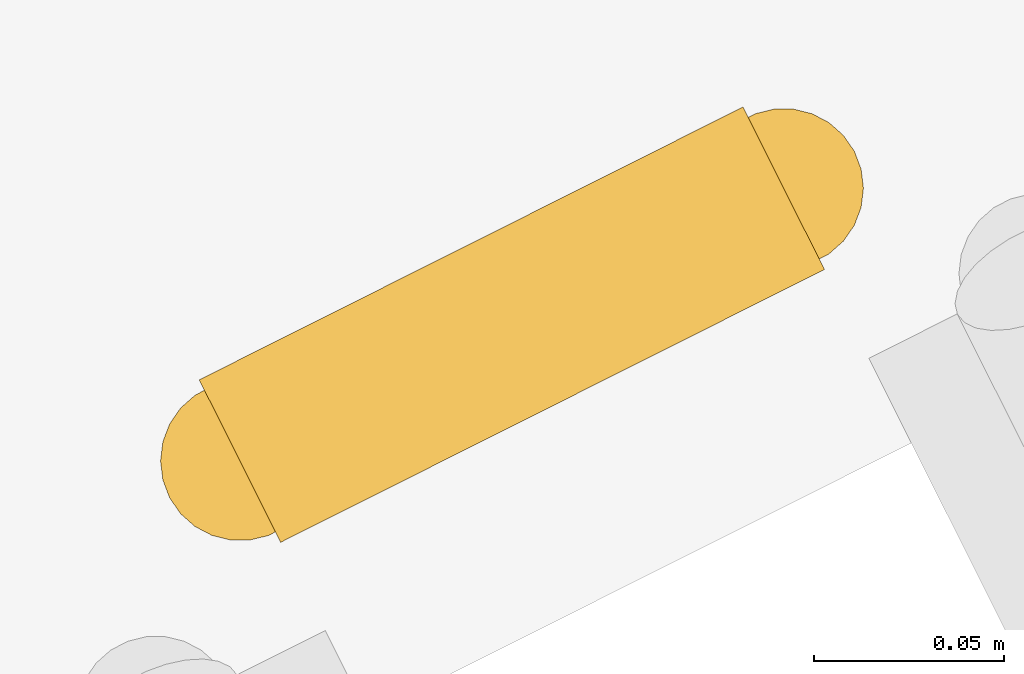
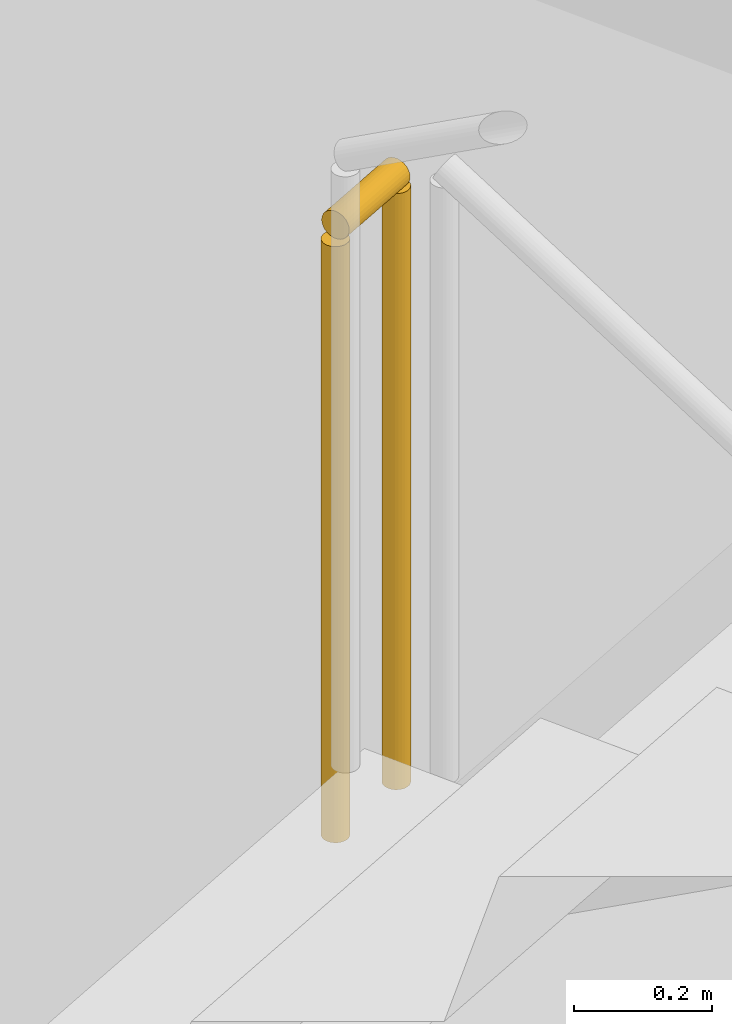
# One storey, part 134 of 152: 1 railing.
"""IFC4 building model written with IfcOpenShell, lengths in metres."""

import ifcopenshell
import ifcopenshell.guid

model = None  # the IFC model being written
_history = None  # IfcOwnerHistory: only IFC2X3 demands one
_inside = {}  # id of a spatial element -> (the spatial element, [elements in it])
_under = {}  # id of a project, library or spatial element -> (it, [spatial elements below it])
_declared = {}  # id of a project -> (the project, [libraries it declares])
_typed = {}  # id of a type object -> (the type object, [elements of that type])
_made_of = {}  # id of a material, layer set ... -> (it, [elements and type objects made of it])


def new_model(schema):
    """Start an empty IFC model of exactly this schema.

    Asked for "IFC4X3", IfcOpenShell would pick the latest addendum, in which some entities
    have other attributes; the version numbers below select the first issue.
    IFC2X3 requires an IfcOwnerHistory on every rooted entity: one is made here for all.
    """
    global model, _history
    if schema == "IFC4X3":
        model = ifcopenshell.file(schema_version=(4, 3, 0, 0))
    else:
        model = ifcopenshell.file(schema=schema)
    _inside.clear()
    _under.clear()
    _declared.clear()
    _typed.clear()
    _made_of.clear()
    _history = None
    if model.schema == "IFC2X3":
        org = make("IfcOrganization", Name="unknown")
        user = make(
            "IfcPersonAndOrganization",
            ThePerson=make("IfcPerson", FamilyName="unknown"),
            TheOrganization=org,
        )
        app = make(
            "IfcApplication",
            ApplicationDeveloper=org,
            Version="unknown",
            ApplicationFullName="unknown",
            ApplicationIdentifier="unknown",
        )
        _history = make(
            "IfcOwnerHistory",
            OwningUser=user,
            OwningApplication=app,
            ChangeAction="ADDED",
            CreationDate=0,
        )
    return model


def make(cls, **values):
    """One entity of the class cls with the attributes given. An attribute that is None is left unset."""
    return model.create_entity(
        cls, **{name: value for name, value in values.items() if value is not None}
    )


def rooted(cls, **values):
    """An entity with a GlobalId (a new one), such as an element, a storey or a relation."""
    return make(cls, GlobalId=ifcopenshell.guid.new(), OwnerHistory=_history, **values)


def si_unit(unit_type, name, prefix=None):
    """IfcSIUnit, for example si_unit("LENGTHUNIT", "METRE", prefix="MILLI")."""
    return make("IfcSIUnit", UnitType=unit_type, Prefix=prefix, Name=name)


def assignment(units):
    """IfcUnitAssignment: the units of a project."""
    return None if units is None else make("IfcUnitAssignment", Units=units)


def point(xyz):
    """IfcCartesianPoint."""
    return None if xyz is None else make("IfcCartesianPoint", Coordinates=xyz)


def direction(xyz):
    """IfcDirection."""
    return None if xyz is None else make("IfcDirection", DirectionRatios=xyz)


def frame(location, z_axis=None, x_axis=None):
    """IfcAxis2Placement3D, a coordinate frame: its origin and axes. An axis left out is left unset."""
    return make(
        "IfcAxis2Placement3D",
        Location=point(location),
        Axis=direction(z_axis),
        RefDirection=direction(x_axis),
    )


def frame_2d(location, x_axis=None):
    """IfcAxis2Placement2D, a coordinate frame in the plane: its origin and x axis."""
    return make(
        "IfcAxis2Placement2D", Location=point(location), RefDirection=direction(x_axis)
    )


def origin():
    """The frame at (0, 0, 0) with its axes left unset."""
    return frame((0.0, 0.0, 0.0))


def origin_2d():
    """The frame at (0, 0) in the plane with its x axis left unset."""
    return frame_2d((0.0, 0.0))


def place(relative_to, where):
    """IfcLocalPlacement: puts the frame where relative to a parent placement (None: the world)."""
    return make(
        "IfcLocalPlacement", PlacementRelTo=relative_to, RelativePlacement=where
    )


def context(
    kind, dimensions, precision=None, world=None, true_north=None, identifier=None
):
    """IfcGeometricRepresentationContext, for example the 3D "Model" context."""
    return make(
        "IfcGeometricRepresentationContext",
        ContextIdentifier=identifier,
        ContextType=kind,
        CoordinateSpaceDimension=dimensions,
        Precision=precision,
        WorldCoordinateSystem=world,
        TrueNorth=true_north,
    )


def subcontext(parent, identifier, kind, view, scale=None):
    """IfcGeometricRepresentationSubContext, for example "Body" below "Model"."""
    return make(
        "IfcGeometricRepresentationSubContext",
        ContextIdentifier=identifier,
        ContextType=kind,
        ParentContext=parent,
        TargetScale=scale,
        TargetView=view,
    )


def project(units=None, contexts=None):
    """IfcProject with its units and contexts."""
    return rooted(
        "IfcProject",
        Name="project",
        RepresentationContexts=contexts,
        UnitsInContext=assignment(units),
    )


def spatial(cls, under=None, at=None, **own):
    """A site, building, storey or space (cls), placed at a placement, below another one or the project."""
    s = rooted(cls, ObjectPlacement=at, **own)
    if under is not None:
        _under.setdefault(under.id(), (under, []))[1].append(s)
    return s


def profile(cls, at=None, kind="AREA", **sizes):
    """A parametric profile (cls). Its sizes go by their IFC names, for example OverallWidth=200.0."""
    return make(cls, ProfileType=kind, Position=at, **sizes)


def circle(**sizes):
    """IfcCircleProfileDef."""
    return profile("IfcCircleProfileDef", **sizes)


def extrude(swept, where, along, depth):
    """IfcExtrudedAreaSolid: the profile swept, set in the frame where, extruded along a direction by depth."""
    return make(
        "IfcExtrudedAreaSolid",
        SweptArea=swept,
        Position=where,
        ExtrudedDirection=direction(along),
        Depth=depth,
    )


def shape(context_of_items, identifier, shape_type, items):
    """IfcShapeRepresentation: the items that make up one representation, for example the "Body"."""
    return make(
        "IfcShapeRepresentation",
        ContextOfItems=context_of_items,
        RepresentationIdentifier=identifier,
        RepresentationType=shape_type,
        Items=items,
    )


def material(Name=None, Category=None):
    """IfcMaterial."""
    return make("IfcMaterial", Name=Name, Category=Category)


def made_of(thing, what):
    """Note that an element or type object is made of a material, layer set ...; save() writes the relation."""
    if what is not None:
        _made_of.setdefault(what.id(), (what, []))[1].append(thing)
    return thing


def type_object(cls, material=None, **own):
    """A type object (cls), such as IfcWallType, which elements share."""
    return made_of(rooted(cls, **own), material)


def element(
    cls,
    number,
    at=None,
    inside=None,
    cuts=None,
    type_object=None,
    material=None,
    context=None,
    identifier="Body",
    shape_type=None,
    held_by="IfcProductDefinitionShape",
    body=None,
    shapes=None,
    **own,
):
    """One element of the class cls, such as IfcWall. Its Tag is "e" and its number.

    at: its placement. inside: the storey or other place that contains it. cuts: it is an
    opening in that element (IfcRelVoidsElement). A single representation is given by context,
    identifier, shape_type and body (its items); several are given by shapes. held_by: the class
    of the entity that holds the representations. save() writes the other relations.
    """
    e = rooted(cls, Tag="e%d" % number, ObjectPlacement=at, **own)
    if body is not None:
        shapes = [shape(context, identifier, shape_type, body)]
    if shapes is not None:
        e.Representation = make(held_by, Representations=shapes)
    if inside is not None:
        _inside.setdefault(inside.id(), (inside, []))[1].append(e)
    if cuts is not None:
        rooted(
            "IfcRelVoidsElement", RelatingBuildingElement=cuts, RelatedOpeningElement=e
        )
    if type_object is not None:
        _typed.setdefault(type_object.id(), (type_object, []))[1].append(e)
    return made_of(e, material)


def aggregate(whole, parts):
    """IfcRelAggregates: a whole, such as a stair, and the parts it consists of."""
    return rooted("IfcRelAggregates", RelatingObject=whole, RelatedObjects=parts)


def save(model, path):
    """Write the relations noted so far, then the file.

    IfcRelAggregates (storeys below a building ...), IfcRelContainedInSpatialStructure (elements
    in a storey), IfcRelDefinesByType, IfcRelAssociatesMaterial and IfcRelDeclares: one each for
    every whole, place, type object, material and project.
    """
    for whole, parts in _under.values():
        aggregate(whole, parts)
    for where, things in _inside.values():
        rooted(
            "IfcRelContainedInSpatialStructure",
            RelatedElements=things,
            RelatingStructure=where,
        )
    for kind, things in _typed.values():
        rooted("IfcRelDefinesByType", RelatedObjects=things, RelatingType=kind)
    for what, things in _made_of.values():
        rooted("IfcRelAssociatesMaterial", RelatedObjects=things, RelatingMaterial=what)
    for by, libraries in _declared.values():
        rooted("IfcRelDeclares", RelatingContext=by, RelatedDefinitions=libraries)
    model.write(path)


model = new_model("IFC4")

# Units and contexts
model_context = context("Model", 3, precision=1e-05, world=origin(), true_north=direction((0.0, 1.0)))
body_context = subcontext(model_context, "Body", "Model", "MODEL_VIEW")
ifc_project = project(units=[si_unit("LENGTHUNIT", "METRE"), si_unit("AREAUNIT", "SQUARE_METRE"), si_unit("VOLUMEUNIT", "CUBIC_METRE"), si_unit("PLANEANGLEUNIT", "RADIAN"), si_unit("MASSUNIT", "GRAM", prefix="KILO")], contexts=[model_context])

# Site, building, storey
site_placement = place(None, origin())
site = spatial("IfcSite", under=ifc_project, at=site_placement, CompositionType="ELEMENT")
building_placement = place(site_placement, origin())
building = spatial("IfcBuilding", under=site, at=building_placement, Name="Zevraka Park Crest Stadium", CompositionType="ELEMENT")
storey_placement = place(building_placement, frame((0.0, 0.0, 15.0)))
storey = spatial("IfcBuildingStorey", under=building, at=storey_placement, Name="L03", CompositionType="ELEMENT", Elevation=15.0)

# Railing
ifc_material = material(Name="Powder-coated tubular steel stairwell guard", Category="steel")
railing_type = type_object("IfcRailingType", Name="GR03", PredefinedType="GUARDRAIL", material=ifc_material)
railing_placement = place(storey_placement, frame((190.50341796875, 120.980712890625, 2.39990234375)))
element("IfcRailing", 1, at=railing_placement, inside=storey, type_object=railing_type, Name="L03 ST02 stair guard 2", PredefinedType="GUARDRAIL", context=body_context, shape_type="SweptSolid", body=[
    extrude(circle(Radius=0.02392578125, at=origin_2d()), frame((0.0, 0.0, 1.076171875), z_axis=(-0.893816245171, -0.44843340628, 0.0), x_axis=(0.44843340628, -0.893816245171, 0.0)), (0.0, 0.0, 1.0), 0.16015625),
    extrude(circle(Radius=0.02099609375, at=origin_2d()), origin(), (0.0, 0.0, 1.0), 1.052001953125),
    extrude(circle(Radius=0.02099609375, at=origin_2d()), frame((-0.14306640625, -0.07177734375, 0.0)), (0.0, 0.0, 1.0), 1.052001953125),
])

save(model, "model.ifc")
